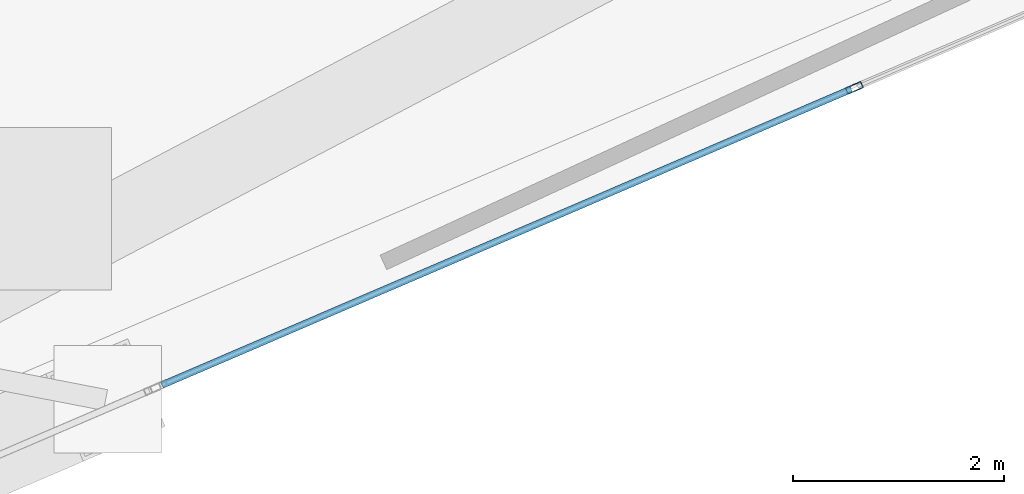
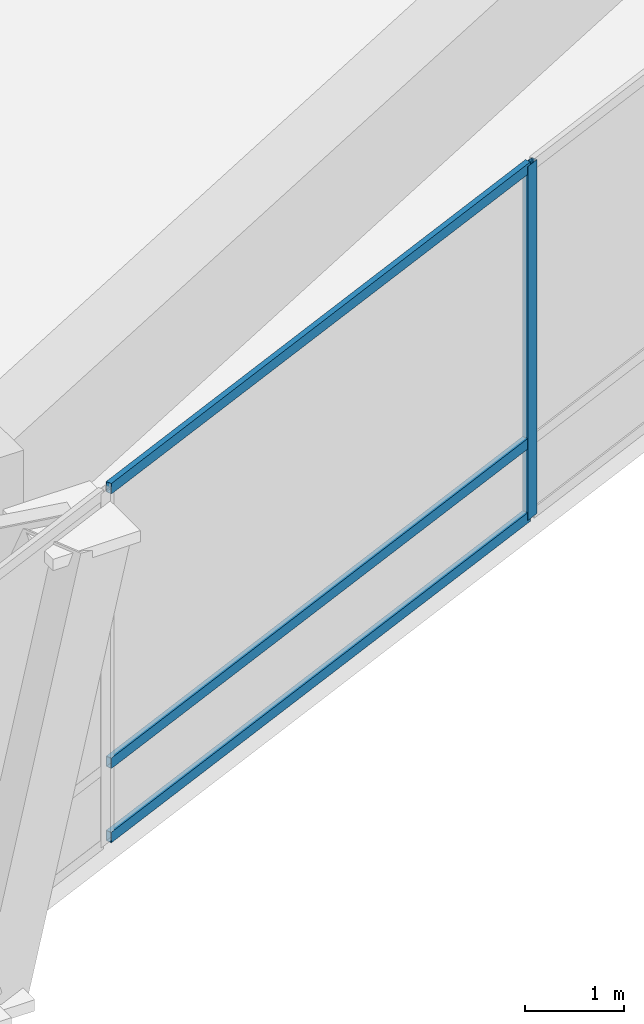
# One storey, part 5 of 22: 4 members, 1 element without a shape of its own.
"""IFC4 building model written with IfcOpenShell, lengths in metres."""

from ifc_helpers import new_model, si_unit, direction, frame, origin, origin_2d, place, context, subcontext, project, spatial, hollow_rectangle, extrude, material, layer, layer_set, material_profile, profile_set, type_object, element, aggregate, save


model = new_model("IFC4")

# Units and contexts
model_context = context("Model", 3, precision=1e-05, world=origin(), true_north=direction((0.0, 1.0)))
body_context = subcontext(model_context, "Body", "Model", "MODEL_VIEW")
ifc_project = project(units=[si_unit("LENGTHUNIT", "METRE"), si_unit("AREAUNIT", "SQUARE_METRE"), si_unit("VOLUMEUNIT", "CUBIC_METRE"), si_unit("PLANEANGLEUNIT", "RADIAN"), si_unit("MASSUNIT", "GRAM", prefix="KILO")], contexts=[model_context])

# Site, building, storey
site_placement = place(None, origin())
site = spatial("IfcSite", under=ifc_project, at=site_placement, CompositionType="ELEMENT")
building_placement = place(site_placement, origin())
building = spatial("IfcBuilding", under=site, at=building_placement, Name="Qianvela Tower", CompositionType="ELEMENT")
storey_placement = place(building_placement, frame((0.0, 0.0, 138.5)))
storey = spatial("IfcBuildingStorey", under=building, at=storey_placement, Name="L35", CompositionType="ELEMENT", Elevation=138.5)

# Curtain wall, members
ifc_material_1 = material(Name="Anodised Architectural Aluminium and Low-E Glass", Category="aluminium")
ifc_layer = layer(ifc_material_1, 0.169921875)
ifc_layer_set = layer_set([ifc_layer], Name="Anodised Architectural Aluminium and Low-E Glass")
curtain_wall_type = type_object("IfcCurtainWallType", Name="CW-COLIV-Z34", PredefinedType="USERDEFINED", material=ifc_layer_set)
curtain_wall_placement = place(storey_placement, origin())
curtain_wall = element("IfcCurtainWall", 1, at=curtain_wall_placement, inside=storey, type_object=curtain_wall_type, Name="L35 CW-COLIV-Z34 Curtain Wall 06C", ObjectType="CURTAIN_WALL_SYSTEM", PredefinedType="USERDEFINED")
ifc_material_2 = material(Name="Anodised Architectural Aluminium 6063-T6", Category="aluminium")
ifc_material_profile_1 = material_profile(ifc_material_2, hollow_rectangle(XDim=0.06494140625, YDim=0.159912109375, WallThickness=0.0048828125, at=origin_2d()), Name="ALU-MULL-65x160")
ifc_profile_set_1 = profile_set([ifc_material_profile_1], Name="Anodised Architectural Aluminium 6063-T6")
member_type_1 = type_object("IfcMemberType", Name="CW-COLIV-Z34-MULL", PredefinedType="MULLION", material=ifc_profile_set_1)
member_1_placement = place(storey_placement, frame((51.375732421875, 18.466552734375, 0.0), z_axis=(0.0, 0.0, 1.0), x_axis=(-0.394471812276, 0.918908041819, 0.0)))
member_1 = element("IfcMember", 2, at=member_1_placement, type_object=member_type_1, Name="CW-4 mullion 2", PredefinedType="MULLION", context=body_context, shape_type="SweptSolid", body=[
    extrude(hollow_rectangle(XDim=0.06494140625, YDim=0.159912109375, WallThickness=0.0048828125, at=origin_2d()), origin(), (0.0, 0.0, 1.0), 4.3798828125),
])
ifc_material_3 = material(Name="Anodised Architectural Aluminium 6063-T6", Category="aluminium")
ifc_material_profile_2 = material_profile(ifc_material_3, hollow_rectangle(XDim=0.06494140625, YDim=0.1298828125, WallThickness=0.00439453125, at=origin_2d()), Name="ALU-TRAN-65x130")
ifc_profile_set_2 = profile_set([ifc_material_profile_2], Name="Anodised Architectural Aluminium 6063-T6")
member_type_2 = type_object("IfcMemberType", Name="CW-COLIV-Z34-TRAN", PredefinedType="USERDEFINED", material=ifc_profile_set_2)
member_2_placement = place(storey_placement, frame((44.822509765625, 15.6533203125, 0.032470703125), z_axis=(0.918901159381, 0.394487844284, 0.0), x_axis=(-0.394487844284, 0.918901159381, 0.0)))
member_2 = element("IfcMember", 3, at=member_2_placement, type_object=member_type_2, Name="CW-4 transom 1.1", ObjectType="TRANSOM", PredefinedType="USERDEFINED", context=body_context, shape_type="SweptSolid", body=[
    extrude(hollow_rectangle(XDim=0.06494140625, YDim=0.1298828125, WallThickness=0.00439453125, at=origin_2d()), origin(), (0.0, 0.0, 1.0), 7.09912109375),
])
member_3_placement = place(storey_placement, frame((44.822509765625, 15.6533203125, 0.949951171875), z_axis=(0.918901159381, 0.394487844284, 0.0), x_axis=(-0.394487844284, 0.918901159381, 0.0)))
member_3 = element("IfcMember", 4, at=member_3_placement, type_object=member_type_2, Name="CW-4 transom 1.2", ObjectType="TRANSOM", PredefinedType="USERDEFINED", context=body_context, shape_type="SweptSolid", body=[
    extrude(hollow_rectangle(XDim=0.06494140625, YDim=0.1298828125, WallThickness=0.00439453125, at=origin_2d()), origin(), (0.0, 0.0, 1.0), 7.09912109375),
])
member_4_placement = place(storey_placement, frame((44.822509765625, 15.6533203125, 4.347412109375), z_axis=(0.918901159381, 0.394487844284, 0.0), x_axis=(-0.394487844284, 0.918901159381, 0.0)))
member_4 = element("IfcMember", 5, at=member_4_placement, type_object=member_type_2, Name="CW-4 transom 1.3", ObjectType="TRANSOM", PredefinedType="USERDEFINED", context=body_context, shape_type="SweptSolid", body=[
    extrude(hollow_rectangle(XDim=0.06494140625, YDim=0.1298828125, WallThickness=0.00439453125, at=origin_2d()), origin(), (0.0, 0.0, 1.0), 7.09912109375),
])
aggregate(curtain_wall, [member_1, member_2, member_3, member_4])

save(model, "model.ifc")
